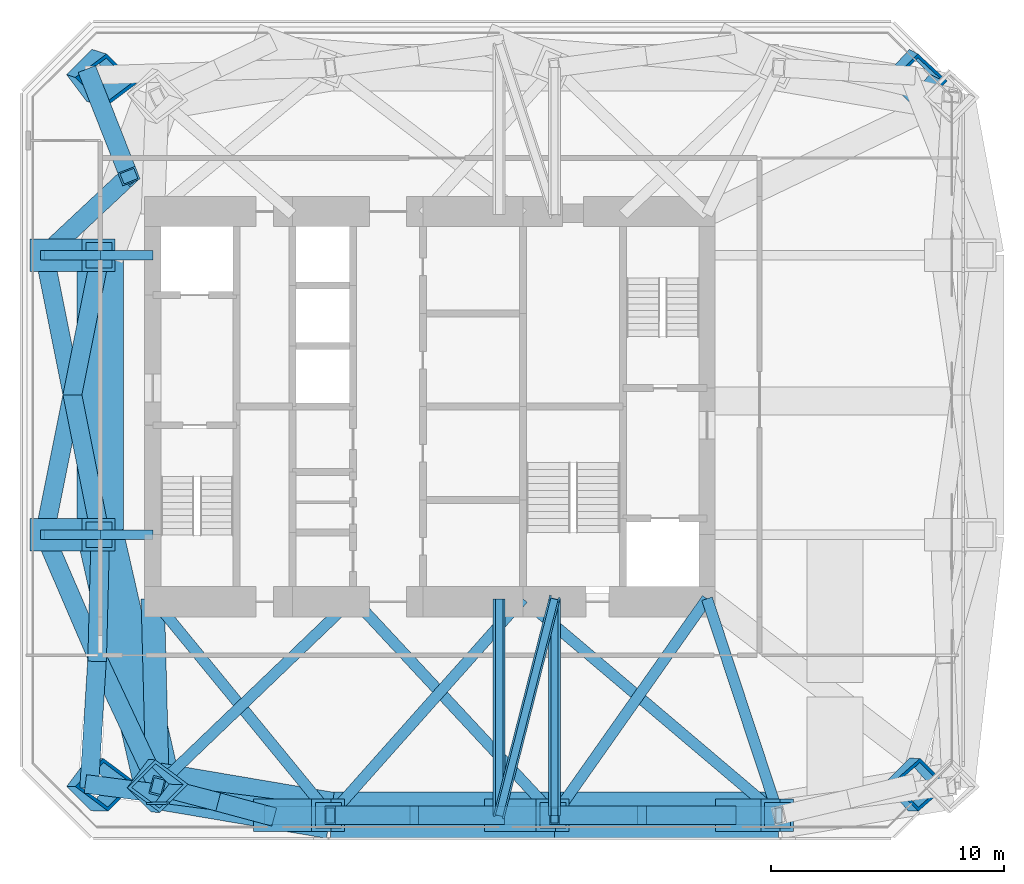
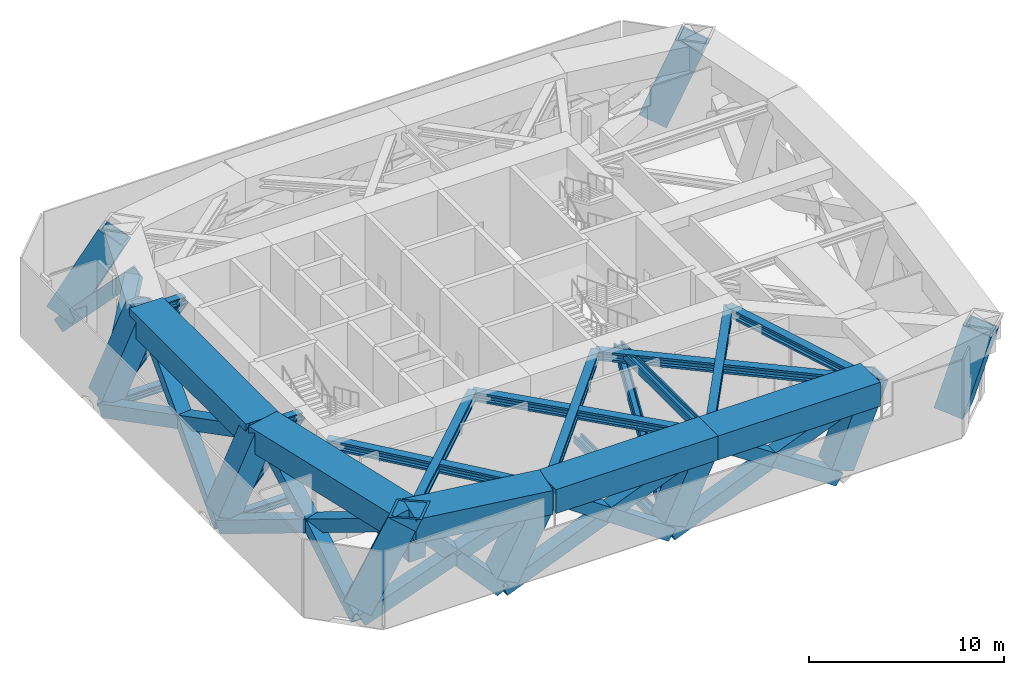
# One storey, part 1 of 9: 45 members, 6 beams, 4 columns.
"""IFC4 building model written with IfcOpenShell, lengths in metres."""

from ifc_helpers import new_model, si_unit, direction, frame, origin, origin_2d, place, context, subcontext, project, spatial, rectangle, hollow_rectangle, i_section, extrude, clip, halfspace, material, material_profile, profile_set, type_object, element, save


model = new_model("IFC4")

# Units and contexts
model_context = context("Model", 3, precision=1e-05, world=origin(), true_north=direction((0.0, 1.0)))
body_context = subcontext(model_context, "Body", "Model", "MODEL_VIEW")
ifc_project = project(units=[si_unit("LENGTHUNIT", "METRE"), si_unit("AREAUNIT", "SQUARE_METRE"), si_unit("VOLUMEUNIT", "CUBIC_METRE"), si_unit("PLANEANGLEUNIT", "RADIAN"), si_unit("MASSUNIT", "GRAM", prefix="KILO")], contexts=[model_context])

# Site, building, storey
site_placement = place(None, origin())
site = spatial("IfcSite", under=ifc_project, at=site_placement, CompositionType="ELEMENT")
building_placement = place(site_placement, origin())
building = spatial("IfcBuilding", under=site, at=building_placement, Name="Jalousie Tower", CompositionType="ELEMENT")
storey_placement = place(building_placement, frame((0.0, 0.0, 212.949951171875)))
storey = spatial("IfcBuildingStorey", under=building, at=storey_placement, Name="L58", CompositionType="ELEMENT", Elevation=212.949951171875)

# Columns
ifc_material_1 = material(Name="Steel EN 10025-2 S355J2 plate", Category="steel")
ifc_material_profile_1 = material_profile(ifc_material_1, hollow_rectangle(XDim=1.60009765625, YDim=1.60009765625, WallThickness=0.125, at=origin_2d()), Name="BOX 1600x1600x125")
ifc_profile_set_1 = profile_set([ifc_material_profile_1], Name="Steel EN 10025-2 S355J2 plate")
column_type = type_object("IfcColumnType", Name="BUILT-UP BOX CORNER COLUMN BOX 1600x1600x125", PredefinedType="COLUMN", material=ifc_profile_set_1)
column_1_placement = place(storey_placement, frame((17.27783203125, 2.27783203125, 0.0), z_axis=(0.505446048478, -0.012216982335, 0.862771718023), x_axis=(0.5664055827, 0.759009479476, -0.321075265243)))
element("IfcColumn", 1, at=column_1_placement, inside=storey, type_object=column_type, Name="Corner column raked 01 L58", PredefinedType="COLUMN", context=body_context, shape_type="SweptSolid", body=[
    extrude(hollow_rectangle(XDim=1.60009765625, YDim=1.60009765625, WallThickness=0.125, at=origin_2d()), origin(), (0.0, 0.0, 1.0), 5.135498046875),
])
column_2_placement = place(storey_placement, frame((52.47216796875, 2.27783203125, 0.0), z_axis=(0.342147435973, -0.013304204402, 0.939552090202), x_axis=(-0.641679954271, 0.727134908154, 0.243970616324)))
element("IfcColumn", 2, at=column_2_placement, inside=storey, type_object=column_type, Name="Corner column raked 05 L58", PredefinedType="COLUMN", context=body_context, shape_type="SweptSolid", body=[
    extrude(hollow_rectangle(XDim=1.60009765625, YDim=1.60009765625, WallThickness=0.125, at=origin_2d()), origin(), (0.0, 0.0, 1.0), 4.909423828125),
])
column_3_placement = place(storey_placement, frame((52.47216796875, 32.72216796875, 0.0), z_axis=(0.337077111073, -0.172018702701, 0.925628752315), x_axis=(-0.67232442619, -0.732223798668, 0.108757411758)))
element("IfcColumn", 3, at=column_3_placement, inside=storey, type_object=column_type, Name="Corner column raked 08 L58", PredefinedType="COLUMN", context=body_context, shape_type="SweptSolid", body=[
    extrude(hollow_rectangle(XDim=1.60009765625, YDim=1.60009765625, WallThickness=0.125, at=origin_2d()), origin(), (0.0, 0.0, 1.0), 4.994384765625),
])
column_4_placement = place(storey_placement, frame((17.27783203125, 32.72216796875, 0.0), z_axis=(0.499107987003, -0.158326804345, 0.851952956645), x_axis=(0.536600054158, -0.715509962871, -0.447331951586)))
element("IfcColumn", 4, at=column_4_placement, inside=storey, type_object=column_type, Name="Corner column raked 12 L58", PredefinedType="COLUMN", context=body_context, shape_type="SweptSolid", body=[
    extrude(hollow_rectangle(XDim=1.60009765625, YDim=1.60009765625, WallThickness=0.125, at=origin_2d()), origin(), (0.0, 0.0, 1.0), 5.193359375),
])

# Member
ifc_material_2 = material(Name="Steel ASTM A572 Grade 50 plate", Category="steel")
ifc_material_profile_2 = material_profile(ifc_material_2, rectangle(XDim=1.0, YDim=1.199951171875, at=origin_2d()), Name="END PLATE 1000x1200x100")
ifc_profile_set_2 = profile_set([ifc_material_profile_2], Name="Steel ASTM A572 Grade 50 plate")
member_type_1 = type_object("IfcMemberType", Name="END PLATE 1000x1200x100", PredefinedType="MEMBER", material=ifc_profile_set_2)
member_1_placement = place(storey_placement, frame((20.227294921875, 1.41845703125, 2.900146484375), z_axis=(-0.024382992455, 0.999702690643, 0.0), x_axis=(-0.999702690643, -0.024382992455, 0.0)))
element("IfcMember", 5, at=member_1_placement, inside=storey, type_object=member_type_1, Name="Kink collector end plate 01 L59", PredefinedType="MEMBER", context=body_context, shape_type="SweptSolid", body=[
    extrude(rectangle(XDim=1.0, YDim=1.199951171875, at=origin_2d()), origin(), (0.0, 0.0, 1.0), 0.10009765625),
])

# Beam
ifc_material_3 = material(Name="Steel ASTM A572 Grade 50 plate", Category="steel")
ifc_material_profile_3 = material_profile(ifc_material_3, hollow_rectangle(XDim=1.0, YDim=1.199951171875, WallThickness=0.10009765625, at=origin_2d()), Name="BOX 1200x1000x100")
ifc_profile_set_3 = profile_set([ifc_material_profile_3], Name="Steel ASTM A572 Grade 50 plate")
beam_type_1 = type_object("IfcBeamType", Name="KINK COLLECTOR BOX 1200x1000x100", PredefinedType="BEAM", material=ifc_profile_set_3)
beam_1_placement = place(storey_placement, frame((20.224853515625, 1.5185546875, 2.900146484375), z_axis=(-0.025743618177, 0.999668578141, 0.0), x_axis=(-0.999668578141, -0.025743618177, 0.0)))
element("IfcBeam", 6, at=beam_1_placement, inside=storey, type_object=beam_type_1, Name="Kink collector 01 L59", PredefinedType="BEAM", context=body_context, shape_type="SweptSolid", body=[
    extrude(hollow_rectangle(XDim=1.0, YDim=1.199951171875, WallThickness=0.10009765625, at=origin_2d()), origin(), (0.0, 0.0, 1.0), 8.734375),
])

# Members
ifc_material_4 = material(Name="Steel ASTM A992 Grade 50", Category="steel")
ifc_material_profile_4 = material_profile(ifc_material_4, i_section(OverallWidth=0.472412109375, OverallDepth=0.5791015625, WebThickness=0.094970703125, FlangeThickness=0.1298828125, at=origin_2d()), Name="W14X808")
ifc_profile_set_4 = profile_set([ifc_material_profile_4], Name="Steel ASTM A992 Grade 50")
member_type_2 = type_object("IfcMemberType", Name="KINK FLOOR TRUSS DIAGONAL W14X808", PredefinedType="BRACE", material=ifc_profile_set_4)
member_2_placement = place(storey_placement, frame((20.20703125, 2.20703125, 4.430419921875), z_axis=(0.722004816399, 0.691888029305, 0.0), x_axis=(-0.691888029305, 0.722004816399, 0.0)))
element("IfcMember", 7, at=member_2_placement, inside=storey, type_object=member_type_2, Name="Kink floor truss L59 01 diagonal", PredefinedType="BRACE", context=body_context, shape_type="SweptSolid", body=[
    extrude(i_section(OverallWidth=0.472412109375, OverallDepth=0.5791015625, WebThickness=0.094970703125, FlangeThickness=0.1298828125, at=origin_2d()), origin(), (0.0, 0.0, 1.0), 11.624755859375),
])
member_3_placement = place(storey_placement, frame((27.625, 0.949951171875, 4.430419921875), z_axis=(-0.634027876377, 0.773310191305, 0.0), x_axis=(-0.773310191305, -0.634027876377, 0.0)))
element("IfcMember", 8, at=member_3_placement, inside=storey, type_object=member_type_2, Name="Kink floor truss L59 02 diagonal", PredefinedType="BRACE", context=body_context, shape_type="SweptSolid", body=[
    extrude(i_section(OverallWidth=0.472412109375, OverallDepth=0.5791015625, WebThickness=0.094970703125, FlangeThickness=0.1298828125, at=origin_2d()), origin(), (0.0, 0.0, 1.0), 12.0263671875),
])
member_4_placement = place(storey_placement, frame((27.625, 0.949951171875, 4.430419921875), z_axis=(0.66473138327, 0.747082450667, 0.0), x_axis=(-0.747082450667, 0.66473138327, 0.0)))
element("IfcMember", 9, at=member_4_placement, inside=storey, type_object=member_type_2, Name="Kink floor truss L59 02 diagonal", PredefinedType="BRACE", context=body_context, shape_type="SweptSolid", body=[
    extrude(i_section(OverallWidth=0.472412109375, OverallDepth=0.5791015625, WebThickness=0.094970703125, FlangeThickness=0.1298828125, at=origin_2d()), origin(), (0.0, 0.0, 1.0), 12.448486328125),
])
member_5_placement = place(storey_placement, frame((37.25, 0.949951171875, 4.430419921875), z_axis=(-0.681048820423, 0.732238010623, 0.0), x_axis=(-0.732238010623, -0.681048820423, 0.0)))
element("IfcMember", 10, at=member_5_placement, inside=storey, type_object=member_type_2, Name="Kink floor truss L59 03 diagonal", PredefinedType="BRACE", context=body_context, shape_type="SweptSolid", body=[
    extrude(i_section(OverallWidth=0.472412109375, OverallDepth=0.5791015625, WebThickness=0.094970703125, FlangeThickness=0.1298828125, at=origin_2d()), origin(), (0.0, 0.0, 1.0), 12.700927734375),
])
member_6_placement = place(storey_placement, frame((37.25, 0.949951171875, 4.430419921875), z_axis=(0.575820852171, 0.817575896297, 0.0), x_axis=(-0.817575896297, 0.575820852171, 0.0)))
element("IfcMember", 11, at=member_6_placement, inside=storey, type_object=member_type_2, Name="Kink floor truss L59 03 diagonal", PredefinedType="BRACE", context=body_context, shape_type="SweptSolid", body=[
    extrude(i_section(OverallWidth=0.472412109375, OverallDepth=0.5791015625, WebThickness=0.094970703125, FlangeThickness=0.1298828125, at=origin_2d()), origin(), (0.0, 0.0, 1.0), 11.375244140625),
])
member_7_placement = place(storey_placement, frame((46.875, 0.949951171875, 4.430419921875), z_axis=(-0.762925819415, 0.64648603548, 0.0), x_axis=(-0.64648603548, -0.762925819415, 0.0)))
element("IfcMember", 12, at=member_7_placement, inside=storey, type_object=member_type_2, Name="Kink floor truss L59 04 diagonal", PredefinedType="BRACE", context=body_context, shape_type="SweptSolid", body=[
    extrude(i_section(OverallWidth=0.472412109375, OverallDepth=0.5791015625, WebThickness=0.094970703125, FlangeThickness=0.1298828125, at=origin_2d()), origin(), (0.0, 0.0, 1.0), 14.385498046875),
])
member_8_placement = place(storey_placement, frame((46.875, 0.949951171875, 4.430419921875), z_axis=(-0.313923812359, 0.949448176592, 0.0), x_axis=(-0.949448176592, -0.313923812359, 0.0)))
element("IfcMember", 13, at=member_8_placement, inside=storey, type_object=member_type_2, Name="Kink floor truss L59 04 diagonal", PredefinedType="BRACE", context=body_context, shape_type="SweptSolid", body=[
    extrude(i_section(OverallWidth=0.472412109375, OverallDepth=0.5791015625, WebThickness=0.094970703125, FlangeThickness=0.1298828125, at=origin_2d()), origin(), (0.0, 0.0, 1.0), 9.795166015625),
])
ifc_material_5 = material(Name="Steel EN 10025-2 S355J2 plate", Category="steel")
ifc_material_profile_5 = material_profile(ifc_material_5, hollow_rectangle(XDim=1.60009765625, YDim=1.60009765625, WallThickness=0.125, at=origin_2d()), Name="BOX 1600x1600x125")
ifc_profile_set_5 = profile_set([ifc_material_profile_5], Name="Steel EN 10025-2 S355J2 plate")
member_type_3 = type_object("IfcMemberType", Name="KINK NODE BOX 1600x1600x125", PredefinedType="MEMBER", material=ifc_profile_set_5)
member_9_placement = place(storey_placement, frame((19.87353515625, 2.215087890625, 4.4306640625), z_axis=(0.505396922562, -0.012209442492, 0.862800602792), x_axis=(0.566414385889, 0.75901615152, -0.32104396146)))
element("IfcMember", 14, at=member_9_placement, inside=storey, type_object=member_type_3, Name="Kink node of corner column 01 at +217.950", PredefinedType="MEMBER", context=body_context, shape_type="Clipping", body=[
    clip(extrude(hollow_rectangle(XDim=1.60009765625, YDim=1.60009765625, WallThickness=0.125, at=origin_2d()), origin(), (0.0, 0.0, 1.0), 1.31982421875), halfspace(frame((0.0, 0.0, 0.659912109375), z_axis=(-0.32104396146, 0.390520031025, 0.862800602792)), False)),
])
ifc_material_6 = material(Name="Steel ASTM A992 Grade 50", Category="steel")
ifc_material_profile_6 = material_profile(ifc_material_6, i_section(OverallWidth=0.43701171875, OverallDepth=0.51318359375, WebThickness=0.060546875, FlangeThickness=0.096923828125, at=origin_2d()), Name="W14X550")
ifc_profile_set_6 = profile_set([ifc_material_profile_6], Name="Steel ASTM A992 Grade 50")
member_type_4 = type_object("IfcMemberType", Name="NORTH-SOUTH OUTRIGGER CHORD W14X550", PredefinedType="CHORD", material=ifc_profile_set_6)
for number, where, z_axis, x_axis, name in (
    (15, (34.875, 0.949951171875, -0.53662109375), (0.0, 1.0, 0.0), (0.0, 0.0, 1.0), "Outrigger T3 S03 chord L58"),
    (16, (37.25, 0.949951171875, 4.46337890625), (0.0, 1.0, 0.0), (0.0, 0.0, 1.0), "Outrigger T3 S03 chord L59"),
):
    element("IfcMember", number, at=place(storey_placement, frame(where, z_axis=z_axis, x_axis=x_axis)), inside=storey, type_object=member_type_4, Name=name, PredefinedType="CHORD", context=body_context, shape_type="SweptSolid", body=[
        extrude(i_section(OverallWidth=0.43701171875, OverallDepth=0.51318359375, WebThickness=0.060546875, FlangeThickness=0.096923828125, at=origin_2d()), origin(), (0.0, 0.0, 1.0), 9.300048828125),
    ])
ifc_material_7 = material(Name="Steel ASTM A992 Grade 50", Category="steel")
ifc_material_profile_7 = material_profile(ifc_material_7, i_section(OverallWidth=0.42431640625, OverallDepth=0.47509765625, WebThickness=0.0478515625, FlangeThickness=0.0771484375, at=origin_2d()), Name="W14X426")
ifc_profile_set_7 = profile_set([ifc_material_profile_7], Name="Steel ASTM A992 Grade 50")
member_type_5 = type_object("IfcMemberType", Name="NORTH-SOUTH OUTRIGGER DIAGONAL W14X426", PredefinedType="BRACE", material=ifc_profile_set_7)
member_10_placement = place(storey_placement, frame((34.875, 0.949951171875, -0.53662109375), z_axis=(0.219445510307, 0.859306930934, 0.461990548015), x_axis=(-0.114312192613, -0.447624830718, 0.886884847962)))
element("IfcMember", 17, at=member_10_placement, inside=storey, type_object=member_type_5, Name="Outrigger T3 S03 diagonal L58", PredefinedType="BRACE", context=body_context, shape_type="SweptSolid", body=[
    extrude(i_section(OverallWidth=0.42431640625, OverallDepth=0.47509765625, WebThickness=0.0478515625, FlangeThickness=0.0771484375, at=origin_2d()), origin(), (0.0, 0.0, 1.0), 10.82275390625),
])
ifc_material_8 = material(Name="Steel ASTM A992 Grade 50", Category="steel")
ifc_material_profile_8 = material_profile(ifc_material_8, i_section(OverallWidth=0.42431640625, OverallDepth=0.47509765625, WebThickness=0.0478515625, FlangeThickness=0.0771484375, at=origin_2d()), Name="W14X426")
ifc_profile_set_8 = profile_set([ifc_material_profile_8], Name="Steel ASTM A992 Grade 50")
member_type_6 = type_object("IfcMemberType", Name="OUTRIGGER CHORD W14X426", PredefinedType="CHORD", material=ifc_profile_set_8)
member_11_placement = place(storey_placement, frame((15.35009765625, 13.0, -0.517333984375), z_axis=(1.0, 0.0, 0.0), x_axis=(0.0, 1.0, 0.0)))
element("IfcMember", 18, at=member_11_placement, inside=storey, type_object=member_type_6, Name="Outrigger T3 west arm at column 14 chord L58", PredefinedType="CHORD", context=body_context, shape_type="SweptSolid", body=[
    extrude(i_section(OverallWidth=0.42431640625, OverallDepth=0.47509765625, WebThickness=0.0478515625, FlangeThickness=0.0771484375, at=origin_2d()), origin(), (0.0, 0.0, 1.0), 4.64990234375),
])
member_12_placement = place(storey_placement, frame((17.75, 13.0, 4.482666015625), z_axis=(1.0, 0.0, 0.0), x_axis=(0.0, 1.0, 0.0)))
element("IfcMember", 19, at=member_12_placement, inside=storey, type_object=member_type_6, Name="Outrigger T3 west arm at column 14 chord L59", PredefinedType="CHORD", context=body_context, shape_type="SweptSolid", body=[
    extrude(i_section(OverallWidth=0.42431640625, OverallDepth=0.47509765625, WebThickness=0.0478515625, FlangeThickness=0.0771484375, at=origin_2d()), origin(), (0.0, 0.0, 1.0), 2.25),
])
member_13_placement = place(storey_placement, frame((15.35009765625, 25.0, -0.517333984375), z_axis=(1.0, 0.0, 0.0), x_axis=(0.0, 1.0, 0.0)))
element("IfcMember", 20, at=member_13_placement, inside=storey, type_object=member_type_6, Name="Outrigger T3 west arm at column 13 chord L58", PredefinedType="CHORD", context=body_context, shape_type="SweptSolid", body=[
    extrude(i_section(OverallWidth=0.42431640625, OverallDepth=0.47509765625, WebThickness=0.0478515625, FlangeThickness=0.0771484375, at=origin_2d()), origin(), (0.0, 0.0, 1.0), 4.64990234375),
])
member_14_placement = place(storey_placement, frame((17.75, 25.0, 4.482666015625), z_axis=(1.0, 0.0, 0.0), x_axis=(0.0, 1.0, 0.0)))
element("IfcMember", 21, at=member_14_placement, inside=storey, type_object=member_type_6, Name="Outrigger T3 west arm at column 13 chord L59", PredefinedType="CHORD", context=body_context, shape_type="SweptSolid", body=[
    extrude(i_section(OverallWidth=0.42431640625, OverallDepth=0.47509765625, WebThickness=0.0478515625, FlangeThickness=0.0771484375, at=origin_2d()), origin(), (0.0, 0.0, 1.0), 2.25),
])
ifc_material_9 = material(Name="Steel ASTM A992 Grade 50", Category="steel")
ifc_material_profile_9 = material_profile(ifc_material_9, i_section(OverallWidth=0.42431640625, OverallDepth=0.47509765625, WebThickness=0.0478515625, FlangeThickness=0.0771484375, at=origin_2d()), Name="W14X426")
ifc_profile_set_9 = profile_set([ifc_material_profile_9], Name="Steel ASTM A992 Grade 50")
member_type_7 = type_object("IfcMemberType", Name="OUTRIGGER DIAGONAL W14X426", PredefinedType="BRACE", material=ifc_profile_set_9)
for number, where, z_axis, x_axis, name in (
    (22, (15.35009765625, 13.0, -0.517333984375), (0.681004972826, 0.0, 0.73227879048), (0.0, 1.0, 0.0), "Outrigger T3 west arm at column 14 diagonal L58"),
    (23, (15.35009765625, 25.0, -0.517333984375), (0.681004972826, 0.0, 0.73227879048), (0.0, 1.0, 0.0), "Outrigger T3 west arm at column 13 diagonal L58"),
):
    element("IfcMember", number, at=place(storey_placement, frame(where, z_axis=z_axis, x_axis=x_axis)), inside=storey, type_object=member_type_7, Name=name, PredefinedType="BRACE", context=body_context, shape_type="SweptSolid", body=[
        extrude(i_section(OverallWidth=0.42431640625, OverallDepth=0.47509765625, WebThickness=0.0478515625, FlangeThickness=0.0771484375, at=origin_2d()), origin(), (0.0, 0.0, 1.0), 6.827880859375),
    ])
ifc_material_10 = material(Name="Steel ASTM A572 Grade 50 plate", Category="steel")
ifc_material_profile_10 = material_profile(ifc_material_10, hollow_rectangle(XDim=0.800048828125, YDim=0.800048828125, WallThickness=0.080078125, at=origin_2d()), Name="BOX 800x800x80")
ifc_profile_set_10 = profile_set([ifc_material_profile_10], Name="Steel ASTM A572 Grade 50 plate")
member_type_8 = type_object("IfcMemberType", Name="PERIMETER BRACE BOX 800x800x80", PredefinedType="BRACE", material=ifc_profile_set_10)
member_15_placement = place(storey_placement, frame((17.27783203125, 2.27783203125, -0.75), z_axis=(0.894220329964, -0.115967446758, 0.432344252617), x_axis=(0.12860855862, 0.991695436437, 0.0)))
element("IfcMember", 24, at=member_15_placement, inside=storey, type_object=member_type_8, Name="Perimeter brace 01-02 L58 part 1", PredefinedType="BRACE", context=body_context, shape_type="SweptSolid", body=[
    extrude(hollow_rectangle(XDim=0.800048828125, YDim=0.800048828125, WallThickness=0.080078125, at=origin_2d()), origin(), (0.0, 0.0, 1.0), 5.8779296875),
])
member_16_placement = place(storey_placement, frame((22.533935546875, 1.59619140625, 1.791259765625), z_axis=(0.894657857743, -0.113564443938, 0.432076885116), x_axis=(0.125925718848, 0.992039673265, 0.0)))
element("IfcMember", 25, at=member_16_placement, inside=storey, type_object=member_type_8, Name="Perimeter brace 01-02 L58 part 2", PredefinedType="BRACE", context=body_context, shape_type="SweptSolid", body=[
    extrude(hollow_rectangle(XDim=0.800048828125, YDim=0.800048828125, WallThickness=0.080078125, at=origin_2d()), origin(), (0.0, 0.0, 1.0), 5.6904296875),
])
member_17_placement = place(storey_placement, frame((24.9375, 0.949951171875, -0.75), z_axis=(-0.675714617256, 0.181677662964, 0.714424931541), x_axis=(-0.259646308846, -0.965703781862, 0.0)))
element("IfcMember", 26, at=member_17_placement, inside=storey, type_object=member_type_8, Name="Perimeter brace 01-02 L58 part 3", PredefinedType="BRACE", context=body_context, shape_type="SweptSolid", body=[
    extrude(hollow_rectangle(XDim=0.800048828125, YDim=0.800048828125, WallThickness=0.080078125, at=origin_2d()), origin(), (0.0, 0.0, 1.0), 3.55712890625),
])
member_18_placement = place(storey_placement, frame((22.533935546875, 1.59619140625, 1.791259765625), z_axis=(-0.676442460592, 0.177574130354, 0.714767812466), x_axis=(-0.253908809186, -0.967228161613, 0.0)))
element("IfcMember", 27, at=member_18_placement, inside=storey, type_object=member_type_8, Name="Perimeter brace 01-02 L58 part 4", PredefinedType="BRACE", context=body_context, shape_type="SweptSolid", body=[
    extrude(hollow_rectangle(XDim=0.800048828125, YDim=0.800048828125, WallThickness=0.080078125, at=origin_2d()), origin(), (0.0, 0.0, 1.0), 3.43994140625),
])
member_19_placement = place(storey_placement, frame((24.9375, 0.949951171875, -0.75), z_axis=(0.926513466323, 0.0, 0.376261606761), x_axis=(0.0, 1.0, 0.0)))
element("IfcMember", 28, at=member_19_placement, inside=storey, type_object=member_type_8, Name="Perimeter brace 02-03 L58 part 1", PredefinedType="BRACE", context=body_context, shape_type="SweptSolid", body=[
    extrude(hollow_rectangle(XDim=0.800048828125, YDim=0.800048828125, WallThickness=0.080078125, at=origin_2d()), origin(), (0.0, 0.0, 1.0), 6.750732421875),
])
member_20_placement = place(storey_placement, frame((31.192138671875, 0.949951171875, 1.7900390625), z_axis=(0.926522311212, 0.0, 0.376239826211), x_axis=(0.0, 1.0, 0.0)))
element("IfcMember", 29, at=member_20_placement, inside=storey, type_object=member_type_8, Name="Perimeter brace 02-03 L58 part 2", PredefinedType="BRACE", context=body_context, shape_type="SweptSolid", body=[
    extrude(hollow_rectangle(XDim=0.800048828125, YDim=0.800048828125, WallThickness=0.080078125, at=origin_2d()), origin(), (0.0, 0.0, 1.0), 6.538330078125),
])
member_21_placement = place(storey_placement, frame((34.875, 0.949951171875, -0.75), z_axis=(-0.823198714254, 0.0, 0.567753359171), x_axis=(0.0, -1.0, 0.0)))
element("IfcMember", 30, at=member_21_placement, inside=storey, type_object=member_type_8, Name="Perimeter brace 02-03 L58 part 3", PredefinedType="BRACE", context=body_context, shape_type="SweptSolid", body=[
    extrude(hollow_rectangle(XDim=0.800048828125, YDim=0.800048828125, WallThickness=0.080078125, at=origin_2d()), origin(), (0.0, 0.0, 1.0), 4.473876953125),
])
member_22_placement = place(storey_placement, frame((31.192138671875, 0.949951171875, 1.7900390625), z_axis=(-0.823227314054, 0.0, 0.567711889426), x_axis=(0.0, -1.0, 0.0)))
element("IfcMember", 31, at=member_22_placement, inside=storey, type_object=member_type_8, Name="Perimeter brace 02-03 L58 part 4", PredefinedType="BRACE", context=body_context, shape_type="SweptSolid", body=[
    extrude(hollow_rectangle(XDim=0.800048828125, YDim=0.800048828125, WallThickness=0.080078125, at=origin_2d()), origin(), (0.0, 0.0, 1.0), 4.3330078125),
])
member_23_placement = place(storey_placement, frame((34.875, 0.949951171875, -0.75), z_axis=(0.923068172531, 0.0, 0.384636385253), x_axis=(0.0, 1.0, 0.0)))
element("IfcMember", 32, at=member_23_placement, inside=storey, type_object=member_type_8, Name="Perimeter brace 03-04 L58 part 1", PredefinedType="BRACE", context=body_context, shape_type="SweptSolid", body=[
    extrude(hollow_rectangle(XDim=0.800048828125, YDim=0.800048828125, WallThickness=0.080078125, at=origin_2d()), origin(), (0.0, 0.0, 1.0), 6.603759765625),
])
member_24_placement = place(storey_placement, frame((40.970703125, 0.949951171875, 1.7900390625), z_axis=(0.923085956972, 0.0, 0.384593702549), x_axis=(0.0, 1.0, 0.0)))
element("IfcMember", 33, at=member_24_placement, inside=storey, type_object=member_type_8, Name="Perimeter brace 03-04 L58 part 2", PredefinedType="BRACE", context=body_context, shape_type="SweptSolid", body=[
    extrude(hollow_rectangle(XDim=0.800048828125, YDim=0.800048828125, WallThickness=0.080078125, at=origin_2d()), origin(), (0.0, 0.0, 1.0), 6.396240234375),
])
member_25_placement = place(storey_placement, frame((44.8125, 0.949951171875, -0.75), z_axis=(-0.834164613339, 0.0, 0.551515546338), x_axis=(0.0, -1.0, 0.0)))
element("IfcMember", 34, at=member_25_placement, inside=storey, type_object=member_type_8, Name="Perimeter brace 03-04 L58 part 3", PredefinedType="BRACE", context=body_context, shape_type="SweptSolid", body=[
    extrude(hollow_rectangle(XDim=0.800048828125, YDim=0.800048828125, WallThickness=0.080078125, at=origin_2d()), origin(), (0.0, 0.0, 1.0), 4.60546875),
])
member_26_placement = place(storey_placement, frame((40.970703125, 0.949951171875, 1.7900390625), z_axis=(-0.834166251972, 0.0, 0.551513067905), x_axis=(0.0, -1.0, 0.0)))
element("IfcMember", 35, at=member_26_placement, inside=storey, type_object=member_type_8, Name="Perimeter brace 03-04 L58 part 4", PredefinedType="BRACE", context=body_context, shape_type="SweptSolid", body=[
    extrude(hollow_rectangle(XDim=0.800048828125, YDim=0.800048828125, WallThickness=0.080078125, at=origin_2d()), origin(), (0.0, 0.0, 1.0), 4.46044921875),
])
member_27_placement = place(storey_placement, frame((17.27783203125, 32.72216796875, -0.75), z_axis=(0.249122275769, -0.633641757404, 0.732418060257), x_axis=(0.93065569588, 0.365896126961, 0.0)))
element("IfcMember", 36, at=member_27_placement, inside=storey, type_object=member_type_8, Name="Perimeter brace 12-13 L58 part 1", PredefinedType="BRACE", context=body_context, shape_type="SweptSolid", body=[
    extrude(hollow_rectangle(XDim=0.800048828125, YDim=0.800048828125, WallThickness=0.080078125, at=origin_2d()), origin(), (0.0, 0.0, 1.0), 6.82666015625),
])
member_28_placement = place(storey_placement, frame((15.35009765625, 25.0, -0.75), z_axis=(0.514674273576, 0.48177556816, 0.709226828344), x_axis=(-0.683388639569, 0.730054770074, 0.0)))
element("IfcMember", 37, at=member_28_placement, inside=storey, type_object=member_type_8, Name="Perimeter brace 12-13 L58 part 2", PredefinedType="BRACE", context=body_context, shape_type="SweptSolid", body=[
    extrude(hollow_rectangle(XDim=0.800048828125, YDim=0.800048828125, WallThickness=0.080078125, at=origin_2d()), origin(), (0.0, 0.0, 1.0), 7.050048828125),
])
for number, where, z_axis, x_axis, name in (
    (38, (15.35009765625, 25.0, -0.75), (0.181540335734, -0.907738614647, 0.37822442277), (0.980582210276, 0.196108462057, 0.0), "Perimeter brace 13-14 L58 part 1"),
    (39, (16.550048828125, 19.0, 1.75), (0.181540335734, -0.907738614647, 0.37822442277), (0.980582210276, 0.196108462057, 0.0), "Perimeter brace 13-14 L58 part 2"),
    (40, (15.35009765625, 13.0, -0.75), (0.181540335734, 0.907738614647, 0.37822442277), (-0.980582210276, 0.196108462057, 0.0), "Perimeter brace 13-14 L58 part 3"),
    (41, (16.550048828125, 19.0, 1.75), (0.181540335734, 0.907738614647, 0.37822442277), (-0.980582210276, 0.196108462057, 0.0), "Perimeter brace 13-14 L58 part 4"),
):
    element("IfcMember", number, at=place(storey_placement, frame(where, z_axis=z_axis, x_axis=x_axis)), inside=storey, type_object=member_type_8, Name=name, PredefinedType="BRACE", context=body_context, shape_type="SweptSolid", body=[
        extrude(hollow_rectangle(XDim=0.800048828125, YDim=0.800048828125, WallThickness=0.080078125, at=origin_2d()), origin(), (0.0, 0.0, 1.0), 6.60986328125),
    ])
member_29_placement = place(storey_placement, frame((15.35009765625, 13.0, -0.75), z_axis=(0.36241586861, -0.843071135431, 0.39734846015), x_axis=(0.918710594831, 0.394931440817, 0.0)))
element("IfcMember", 42, at=member_29_placement, inside=storey, type_object=member_type_8, Name="Perimeter brace 14-01 L58 part 1", PredefinedType="BRACE", context=body_context, shape_type="SweptSolid", body=[
    extrude(hollow_rectangle(XDim=0.800048828125, YDim=0.800048828125, WallThickness=0.080078125, at=origin_2d()), origin(), (0.0, 0.0, 1.0), 6.248046875),
])
member_30_placement = place(storey_placement, frame((17.614501953125, 7.732421875, 1.732666015625), z_axis=(0.392680742394, -0.836910308114, 0.38129118889), x_axis=(0.905301303801, 0.424769995805, 0.0)))
element("IfcMember", 43, at=member_30_placement, inside=storey, type_object=member_type_8, Name="Perimeter brace 14-01 L58 part 2", PredefinedType="BRACE", context=body_context, shape_type="SweptSolid", body=[
    extrude(hollow_rectangle(XDim=0.800048828125, YDim=0.800048828125, WallThickness=0.080078125, at=origin_2d()), origin(), (0.0, 0.0, 1.0), 6.60205078125),
])
member_31_placement = place(storey_placement, frame((17.27783203125, 2.27783203125, -0.75), z_axis=(0.056088656134, 0.90872571091, 0.413608081382), x_axis=(-0.99810060311, 0.061605081537, 0.0)))
element("IfcMember", 44, at=member_31_placement, inside=storey, type_object=member_type_8, Name="Perimeter brace 14-01 L58 part 3", PredefinedType="BRACE", context=body_context, shape_type="SweptSolid", body=[
    extrude(hollow_rectangle(XDim=0.800048828125, YDim=0.800048828125, WallThickness=0.080078125, at=origin_2d()), origin(), (0.0, 0.0, 1.0), 6.00244140625),
])
member_32_placement = place(storey_placement, frame((17.614501953125, 7.732421875, 1.732666015625), z_axis=(0.023202703638, 0.902020781414, 0.431068607581), x_axis=(-0.999669327067, 0.025714519676, 0.0)))
element("IfcMember", 45, at=member_32_placement, inside=storey, type_object=member_type_8, Name="Perimeter brace 14-01 L58 part 4", PredefinedType="BRACE", context=body_context, shape_type="SweptSolid", body=[
    extrude(hollow_rectangle(XDim=0.800048828125, YDim=0.800048828125, WallThickness=0.080078125, at=origin_2d()), origin(), (0.0, 0.0, 1.0), 5.83984375),
])

# Beams
ifc_material_11 = material(Name="Concrete f'c 40 MPa", Category="concrete")
ifc_material_profile_11 = material_profile(ifc_material_11, rectangle(XDim=2.0, YDim=1.5, at=origin_2d()), Name="RC 2000x1500")
ifc_profile_set_11 = profile_set([ifc_material_profile_11], Name="Concrete f'c 40 MPa")
beam_type_2 = type_object("IfcBeamType", Name="RC BEAM 2000x1500", PredefinedType="BEAM", material=ifc_profile_set_11)
beam_2_placement = place(storey_placement, frame((20.20703125, 2.20703125, 4.25), z_axis=(0.985942997446, -0.167082033105, 0.0), x_axis=(0.167082033105, 0.985942997446, 0.0)))
element("IfcBeam", 46, at=beam_2_placement, inside=storey, type_object=beam_type_2, Name="Edge band beam 01-02 under L59", PredefinedType="BEAM", context=body_context, shape_type="SweptSolid", body=[
    extrude(rectangle(XDim=2.0, YDim=1.5, at=origin_2d()), origin(), (0.0, 0.0, 1.0), 7.523681640625),
])
for number, where, z_axis, x_axis, name in (
    (47, (27.625, 0.949951171875, 4.25), (1.0, 0.0, 0.0), (0.0, 1.0, 0.0), "Edge band beam 02-03 under L59"),
    (48, (37.25, 0.949951171875, 4.25), (1.0, 0.0, 0.0), (0.0, 1.0, 0.0), "Edge band beam 03-04 under L59"),
):
    element("IfcBeam", number, at=place(storey_placement, frame(where, z_axis=z_axis, x_axis=x_axis)), inside=storey, type_object=beam_type_2, Name=name, PredefinedType="BEAM", context=body_context, shape_type="SweptSolid", body=[
        extrude(rectangle(XDim=2.0, YDim=1.5, at=origin_2d()), origin(), (0.0, 0.0, 1.0), 9.625),
    ])
beam_3_placement = place(storey_placement, frame((17.75, 25.0, 4.25), z_axis=(0.0, -1.0, 0.0), x_axis=(1.0, 0.0, 0.0)))
element("IfcBeam", 49, at=beam_3_placement, inside=storey, type_object=beam_type_2, Name="Edge band beam 13-14 under L59", PredefinedType="BEAM", context=body_context, shape_type="SweptSolid", body=[
    extrude(rectangle(XDim=2.0, YDim=1.5, at=origin_2d()), origin(), (0.0, 0.0, 1.0), 12.0),
])
beam_4_placement = place(storey_placement, frame((17.75, 13.0, 4.25), z_axis=(0.221971905818, -0.975053061647, 0.0), x_axis=(0.975053061647, 0.221971905818, 0.0)))
element("IfcBeam", 50, at=beam_4_placement, inside=storey, type_object=beam_type_2, Name="Edge band beam 14-01 under L59", PredefinedType="BEAM", context=body_context, shape_type="SweptSolid", body=[
    extrude(rectangle(XDim=2.0, YDim=1.5, at=origin_2d()), origin(), (0.0, 0.0, 1.0), 11.069091796875),
])

# Members
ifc_material_12 = material(Name="Steel EN 10025-2 S355J2 plate", Category="steel")
ifc_material_profile_12 = material_profile(ifc_material_12, hollow_rectangle(XDim=1.39990234375, YDim=1.39990234375, WallThickness=0.14990234375, at=origin_2d()), Name="BOX 1400x1400x150")
ifc_profile_set_12 = profile_set([ifc_material_profile_12], Name="Steel EN 10025-2 S355J2 plate")
member_type_9 = type_object("IfcMemberType", Name="TRANSFER TRUSS STRUT BOX 1400x1400x150", PredefinedType="STRUT", material=ifc_profile_set_12)
member_33_placement = place(storey_placement, frame((24.9375, 0.949951171875, 0.0), z_axis=(0.473443113396, 0.0, 0.880824397016), x_axis=(0.0, 1.0, 0.0)))
element("IfcMember", 51, at=member_33_placement, inside=storey, type_object=member_type_9, Name="Transfer truss T3 strut 02 L58", PredefinedType="STRUT", context=body_context, shape_type="Clipping", body=[
    clip(extrude(hollow_rectangle(XDim=1.39990234375, YDim=1.39990234375, WallThickness=0.14990234375, at=origin_2d()), origin(), (0.0, 0.0, 1.0), 5.676513671875), halfspace(frame((0.0, 0.0, 5.65380859375), z_axis=(0.0, 0.473443113396, 0.880824397016)), False)),
])
member_34_placement = place(storey_placement, frame((34.875, 0.949951171875, 0.0), z_axis=(0.429056814568, 0.0, 0.903277504354), x_axis=(0.0, 1.0, 0.0)))
element("IfcMember", 52, at=member_34_placement, inside=storey, type_object=member_type_9, Name="Transfer truss T3 strut 03 L58", PredefinedType="STRUT", context=body_context, shape_type="Clipping", body=[
    clip(extrude(hollow_rectangle(XDim=1.39990234375, YDim=1.39990234375, WallThickness=0.14990234375, at=origin_2d()), origin(), (0.0, 0.0, 1.0), 5.535400390625), halfspace(frame((0.0, 0.0, 5.51318359375), z_axis=(0.0, 0.429056814568, 0.903277504354)), False)),
])
member_35_placement = place(storey_placement, frame((44.8125, 0.949951171875, 0.0), z_axis=(0.381330922953, 0.0, 0.924438601098), x_axis=(0.0, 1.0, 0.0)))
element("IfcMember", 53, at=member_35_placement, inside=storey, type_object=member_type_9, Name="Transfer truss T3 strut 04 L58", PredefinedType="STRUT", context=body_context, shape_type="Clipping", body=[
    clip(extrude(hollow_rectangle(XDim=1.39990234375, YDim=1.39990234375, WallThickness=0.14990234375, at=origin_2d()), origin(), (0.0, 0.0, 1.0), 5.40869140625), halfspace(frame((0.0, 0.0, 5.386962890625), z_axis=(0.0, 0.381330922953, 0.924438601098)), False)),
])
for number, where, z_axis, x_axis, name in (
    (54, (15.35009765625, 25.0, 0.0), (0.432716756732, 0.0, 0.901529926538), (0.0, 1.0, 0.0), "Transfer truss T3 strut 13 L58"),
    (55, (15.35009765625, 13.0, 0.0), (0.432716756732, 0.0, 0.901529926538), (0.0, 1.0, 0.0), "Transfer truss T3 strut 14 L58"),
):
    element("IfcMember", number, at=place(storey_placement, frame(where, z_axis=z_axis, x_axis=x_axis)), inside=storey, type_object=member_type_9, Name=name, PredefinedType="STRUT", context=body_context, shape_type="Clipping", body=[
        clip(extrude(hollow_rectangle(XDim=1.39990234375, YDim=1.39990234375, WallThickness=0.14990234375, at=origin_2d()), origin(), (0.0, 0.0, 1.0), 5.546142578125), halfspace(frame((0.0, 0.0, 5.52392578125), z_axis=(0.0, 0.432716756732, 0.901529926538)), False)),
    ])

save(model, "model.ifc")
